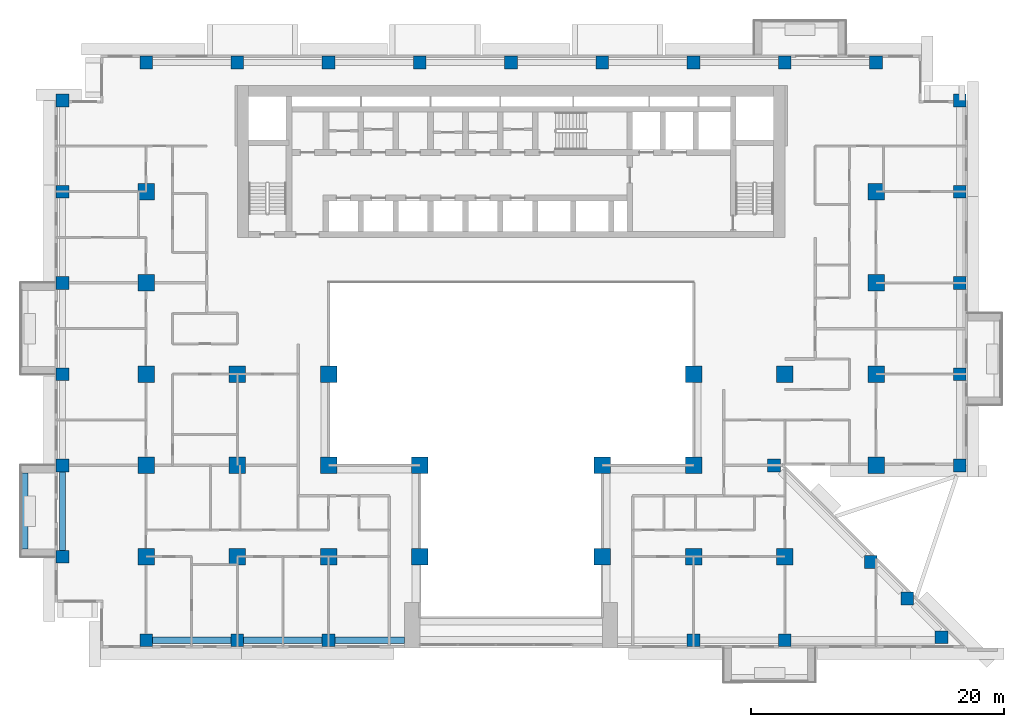
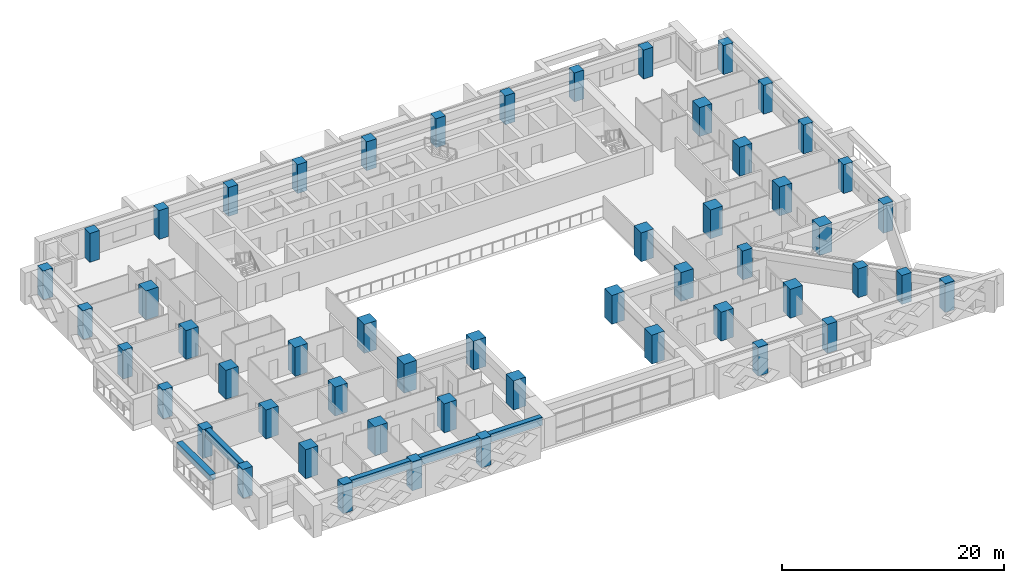
# One storey, part 1 of 16: 53 columns, 5 beams.
"""IFC4 building model written with IfcOpenShell, lengths in metres."""

from ifc_helpers import new_model, si_unit, direction, frame, origin, origin_2d, place, context, subcontext, project, spatial, rectangle, extrude, source, transform, mapped, material, material_profile, profile_set, type_object, element, save


model = new_model("IFC4")

# Units and contexts
model_context = context("Model", 3, precision=1e-05, world=origin(), true_north=direction((0.0, 1.0)))
body_context = subcontext(model_context, "Body", "Model", "MODEL_VIEW")
ifc_project = project(units=[si_unit("LENGTHUNIT", "METRE"), si_unit("AREAUNIT", "SQUARE_METRE"), si_unit("VOLUMEUNIT", "CUBIC_METRE"), si_unit("PLANEANGLEUNIT", "RADIAN"), si_unit("MASSUNIT", "GRAM", prefix="KILO")], contexts=[model_context])

# Site, building, storey
site_placement = place(None, origin())
site = spatial("IfcSite", under=ifc_project, at=site_placement, CompositionType="ELEMENT")
building_placement = place(site_placement, origin())
building = spatial("IfcBuilding", under=site, at=building_placement, Name="Saffron Iwan Residences", CompositionType="ELEMENT")
storey_placement = place(building_placement, frame((0.0, 0.0, 90.0)))
storey = spatial("IfcBuildingStorey", under=building, at=storey_placement, Name="L23", CompositionType="ELEMENT", Elevation=90.0)

# Columns
ifc_material_1 = material(Name="Concrete C60/75", Category="concrete")
ifc_material_profile_1 = material_profile(ifc_material_1, rectangle(XDim=1.0, YDim=1.0, at=origin_2d()), Name="RC 1000x1000")
ifc_profile_set_1 = profile_set([ifc_material_profile_1], Name="Concrete C60/75")
column_type_1 = type_object("IfcColumnType", Name="COL RC 1000x1000 C60/75 3180 HIGH", PredefinedType="COLUMN", material=ifc_profile_set_1)
shared_shape_1 = source(origin(), body_context, "Body", "SweptSolid", [
    extrude(rectangle(XDim=1.0, YDim=1.0, at=origin_2d()), origin(), (0.0, 0.0, 1.0), 3.179931640625),
])
for number, where, z_axis, x_axis, name in (
    (1, (21.60009765625, 34.199951171875, 0.0), (0.0, 0.0, 1.0), (1.0, 0.0, 0.0), "Column C038"),
    (2, (28.800048828125, 34.199951171875, 0.0), (0.0, 0.0, 1.0), (1.0, 0.0, 0.0), "Column C039"),
    (3, (36.0, 34.199951171875, 0.0), (0.0, 0.0, 1.0), (1.0, 0.0, 0.0), "Column C040"),
    (4, (64.800048828125, 34.199951171875, 0.0), (0.0, 0.0, 1.0), (1.0, 0.0, 0.0), "Column C041"),
    (5, (72.0, 34.199951171875, 0.0), (0.0, 0.0, 1.0), (1.0, 0.0, 0.0), "Column C042"),
    (6, (84.367431640625, 34.44189453125, 0.0), (0.0, 0.0, 1.0), (1.0, 0.0, 0.0), "Column C043"),
    (7, (81.65576171875, 37.49560546875, 0.0), (0.0, 0.0, 1.0), (1.0, 0.0, 0.0), "Column C044"),
    (8, (78.775634765625, 40.375732421875, 0.0), (0.0, 0.0, 1.0), (1.0, 0.0, 0.0), "Column C047"),
    (9, (15.0, 40.800048828125, 0.0), (0.0, 0.0, 1.0), (1.0, 0.0, 0.0), "Column C048"),
    (10, (15.0, 48.0, 0.0), (0.0, 0.0, 1.0), (1.0, 0.0, 0.0), "Column C061"),
    (11, (71.14990234375, 48.0, 0.0), (0.0, 0.0, 1.0), (1.0, 0.0, 0.0), "Column C070"),
    (12, (85.800048828125, 48.0, 0.0), (0.0, 0.0, 1.0), (1.0, 0.0, 0.0), "Column C074"),
    (13, (15.0, 55.199951171875, 0.0), (0.0, 0.0, 1.0), (1.0, 0.0, 0.0), "Column C077"),
    (14, (85.800048828125, 55.199951171875, 0.0), (0.0, 0.0, 1.0), (1.0, 0.0, 0.0), "Column C086"),
    (15, (15.0, 62.39990234375, 0.0), (0.0, 0.0, 1.0), (1.0, 0.0, 0.0), "Column C089"),
    (16, (85.800048828125, 62.39990234375, 0.0), (0.0, 0.0, 1.0), (1.0, 0.0, 0.0), "Column C094"),
    (17, (15.0, 69.60009765625, 0.0), (0.0, 0.0, 1.0), (1.0, 0.0, 0.0), "Column C097"),
    (18, (85.800048828125, 69.60009765625, 0.0), (0.0, 0.0, 1.0), (1.0, 0.0, 0.0), "Column C102"),
    (19, (15.0, 76.800048828125, 0.0), (0.0, 0.0, 1.0), (1.0, 0.0, 0.0), "Column C105"),
    (20, (85.800048828125, 76.800048828125, 0.0), (0.0, 0.0, 1.0), (1.0, 0.0, 0.0), "Column C110"),
    (21, (21.60009765625, 79.800048828125, 0.0), (0.0, 0.0, 1.0), (1.0, 0.0, 0.0), "Column C113"),
    (22, (28.800048828125, 79.800048828125, 0.0), (0.0, 0.0, 1.0), (1.0, 0.0, 0.0), "Column C115"),
    (23, (36.0, 79.800048828125, 0.0), (0.0, 0.0, 1.0), (1.0, 0.0, 0.0), "Column C116"),
    (24, (43.199951171875, 79.800048828125, 0.0), (0.0, 0.0, 1.0), (1.0, 0.0, 0.0), "Column C117"),
    (25, (50.39990234375, 79.800048828125, 0.0), (0.0, 0.0, 1.0), (1.0, 0.0, 0.0), "Column C118"),
    (26, (57.60009765625, 79.800048828125, 0.0), (0.0, 0.0, 1.0), (1.0, 0.0, 0.0), "Column C119"),
    (27, (64.800048828125, 79.800048828125, 0.0), (0.0, 0.0, 1.0), (1.0, 0.0, 0.0), "Column C120"),
    (28, (72.0, 79.800048828125, 0.0), (0.0, 0.0, 1.0), (1.0, 0.0, 0.0), "Column C121"),
    (29, (79.199951171875, 79.800048828125, 0.0), (0.0, 0.0, 1.0), (1.0, 0.0, 0.0), "Column C123"),
):
    element("IfcColumn", number, at=place(storey_placement, frame(where, z_axis=z_axis, x_axis=x_axis)), inside=storey, type_object=column_type_1, Name=name, PredefinedType="COLUMN", context=body_context, shape_type="MappedRepresentation", body=[
        mapped(shared_shape_1, transform((0.0, 0.0, 0.0))),
    ])
ifc_material_profile_2 = material_profile(ifc_material_1, rectangle(XDim=1.300048828125, YDim=1.300048828125, at=origin_2d()), Name="RC 1300x1300")
ifc_profile_set_2 = profile_set([ifc_material_profile_2], Name="Concrete C60/75")
column_type_2 = type_object("IfcColumnType", Name="COL RC 1300x1300 C60/75 3180 HIGH", PredefinedType="COLUMN", material=ifc_profile_set_2)
shared_shape_2 = source(origin(), body_context, "Body", "SweptSolid", [
    extrude(rectangle(XDim=1.300048828125, YDim=1.300048828125, at=origin_2d()), origin(), (0.0, 0.0, 1.0), 3.179931640625),
])
for number, where, z_axis, x_axis, name in (
    (30, (21.60009765625, 40.800048828125, 0.0), (0.0, 0.0, 1.0), (1.0, 0.0, 0.0), "Column C049"),
    (31, (28.800048828125, 40.800048828125, 0.0), (0.0, 0.0, 1.0), (1.0, 0.0, 0.0), "Column C051"),
    (32, (36.0, 40.800048828125, 0.0), (0.0, 0.0, 1.0), (1.0, 0.0, 0.0), "Column C052"),
    (33, (43.199951171875, 40.800048828125, 0.0), (0.0, 0.0, 1.0), (1.0, 0.0, 0.0), "Column C053"),
    (34, (57.60009765625, 40.800048828125, 0.0), (0.0, 0.0, 1.0), (1.0, 0.0, 0.0), "Column C054"),
    (35, (64.800048828125, 40.800048828125, 0.0), (0.0, 0.0, 1.0), (1.0, 0.0, 0.0), "Column C055"),
    (36, (72.0, 40.800048828125, 0.0), (0.0, 0.0, 1.0), (1.0, 0.0, 0.0), "Column C056"),
    (37, (21.60009765625, 48.0, 0.0), (0.0, 0.0, 1.0), (1.0, 0.0, 0.0), "Column C063"),
    (38, (28.800048828125, 48.0, 0.0), (0.0, 0.0, 1.0), (1.0, 0.0, 0.0), "Column C064"),
    (39, (36.0, 48.0, 0.0), (0.0, 0.0, 1.0), (1.0, 0.0, 0.0), "Column C065"),
    (40, (43.199951171875, 48.0, 0.0), (0.0, 0.0, 1.0), (1.0, 0.0, 0.0), "Column C066"),
    (41, (57.60009765625, 48.0, 0.0), (0.0, 0.0, 1.0), (1.0, 0.0, 0.0), "Column C068"),
    (42, (64.800048828125, 48.0, 0.0), (0.0, 0.0, 1.0), (1.0, 0.0, 0.0), "Column C069"),
    (43, (79.199951171875, 48.0, 0.0), (0.0, 0.0, 1.0), (1.0, 0.0, 0.0), "Column C072"),
    (44, (21.60009765625, 55.199951171875, 0.0), (0.0, 0.0, 1.0), (1.0, 0.0, 0.0), "Column C079"),
    (45, (28.800048828125, 55.199951171875, 0.0), (0.0, 0.0, 1.0), (1.0, 0.0, 0.0), "Column C080"),
    (46, (36.0, 55.199951171875, 0.0), (0.0, 0.0, 1.0), (1.0, 0.0, 0.0), "Column C081"),
    (47, (64.800048828125, 55.199951171875, 0.0), (0.0, 0.0, 1.0), (1.0, 0.0, 0.0), "Column C082"),
    (48, (72.0, 55.199951171875, 0.0), (0.0, 0.0, 1.0), (1.0, 0.0, 0.0), "Column C083"),
    (49, (79.199951171875, 55.199951171875, 0.0), (0.0, 0.0, 1.0), (1.0, 0.0, 0.0), "Column C084"),
    (50, (21.60009765625, 62.39990234375, 0.0), (0.0, 0.0, 1.0), (1.0, 0.0, 0.0), "Column C091"),
    (51, (79.199951171875, 62.39990234375, 0.0), (0.0, 0.0, 1.0), (1.0, 0.0, 0.0), "Column C092"),
    (52, (21.60009765625, 69.60009765625, 0.0), (0.0, 0.0, 1.0), (1.0, 0.0, 0.0), "Column C099"),
    (53, (79.199951171875, 69.60009765625, 0.0), (0.0, 0.0, 1.0), (1.0, 0.0, 0.0), "Column C100"),
):
    element("IfcColumn", number, at=place(storey_placement, frame(where, z_axis=z_axis, x_axis=x_axis)), inside=storey, type_object=column_type_2, Name=name, PredefinedType="COLUMN", context=body_context, shape_type="MappedRepresentation", body=[
        mapped(shared_shape_2, transform((0.0, 0.0, 0.0))),
    ])

# Beams
ifc_material_profile_3 = material_profile(ifc_material_1, rectangle(XDim=0.5, YDim=0.89990234375, at=origin_2d()), Name="RC 500x900")
ifc_profile_set_3 = profile_set([ifc_material_profile_3], Name="Concrete C60/75")
beam_type_1 = type_object("IfcBeamType", Name="SPANDREL BEAM RC 500x900 C60/75 TOP 3180", PredefinedType="SPANDREL", material=ifc_profile_set_3)
shared_shape_3 = source(origin(), body_context, "Body", "SweptSolid", [
    extrude(rectangle(XDim=0.5, YDim=0.89990234375, at=origin_2d()), origin(), (0.0, 0.0, 1.0), 6.199951171875),
])
for number, where, z_axis, x_axis, name in (
    (54, (28.300048828125, 34.199951171875, 2.72998046875), (-1.0, 0.0, 0.0), (0.0, -1.0, 0.0), "Spandrel beam"),
    (55, (35.5, 34.199951171875, 2.72998046875), (-1.0, 0.0, 0.0), (0.0, -1.0, 0.0), "Spandrel beam"),
    (56, (15.0, 41.300048828125, 2.72998046875), (0.0, 1.0, 0.0), (-1.0, 0.0, 0.0), "Spandrel beam"),
):
    element("IfcBeam", number, at=place(storey_placement, frame(where, z_axis=z_axis, x_axis=x_axis)), inside=storey, type_object=beam_type_1, Name=name, PredefinedType="SPANDREL", context=body_context, shape_type="MappedRepresentation", body=[
        mapped(shared_shape_3, transform((0.0, 0.0, 0.0))),
    ])
shared_shape_4 = source(origin(), body_context, "Body", "SweptSolid", [
    extrude(rectangle(XDim=0.5, YDim=0.89990234375, at=origin_2d()), origin(), (0.0, 0.0, 1.0), 5.5),
])
beam_1_placement = place(storey_placement, frame((42.0, 34.199951171875, 2.72998046875), z_axis=(-1.0, 0.0, 0.0), x_axis=(0.0, -1.0, 0.0)))
element("IfcBeam", 57, at=beam_1_placement, inside=storey, type_object=beam_type_1, Name="Spandrel beam", PredefinedType="SPANDREL", context=body_context, shape_type="MappedRepresentation", body=[
    mapped(shared_shape_4, transform((0.0, 0.0, 0.0))),
])
ifc_material_2 = material(Name="Concrete C50/60 white painted", Category="concrete")
ifc_material_profile_4 = material_profile(ifc_material_2, rectangle(XDim=0.60009765625, YDim=0.60009765625, at=origin_2d()), Name="BALCONY FASCIA BEAM 600 x 600")
ifc_profile_set_4 = profile_set([ifc_material_profile_4], Name="Concrete C50/60 white painted")
beam_type_2 = type_object("IfcBeamType", Name="BALCONY FASCIA BEAM 600 x 600", PredefinedType="BEAM", material=ifc_profile_set_4)
shared_shape_5 = source(origin(), body_context, "Body", "SweptSolid", [
    extrude(rectangle(XDim=0.60009765625, YDim=0.60009765625, at=origin_2d()), origin(), (0.0, 0.0, 1.0), 6.0),
])
beam_2_placement = place(storey_placement, frame((12.0, 47.39990234375, 2.550048828125), z_axis=(0.0, -1.0, 0.0), x_axis=(1.0, 0.0, 0.0)))
element("IfcBeam", 58, at=beam_2_placement, inside=storey, type_object=beam_type_2, Name="Balcony fascia beam L23 F8-1", PredefinedType="BEAM", context=body_context, shape_type="MappedRepresentation", body=[
    mapped(shared_shape_5, transform((0.0, 0.0, 0.0))),
])

save(model, "model.ifc")
